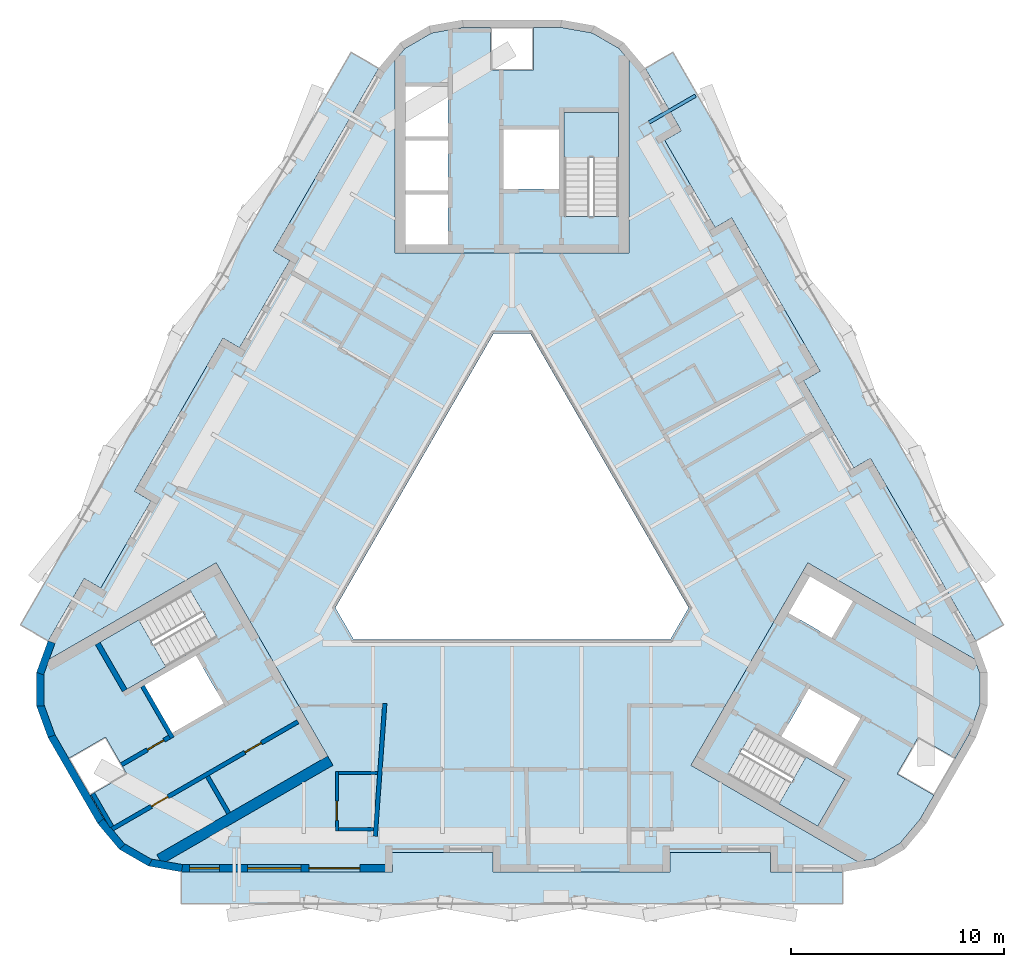
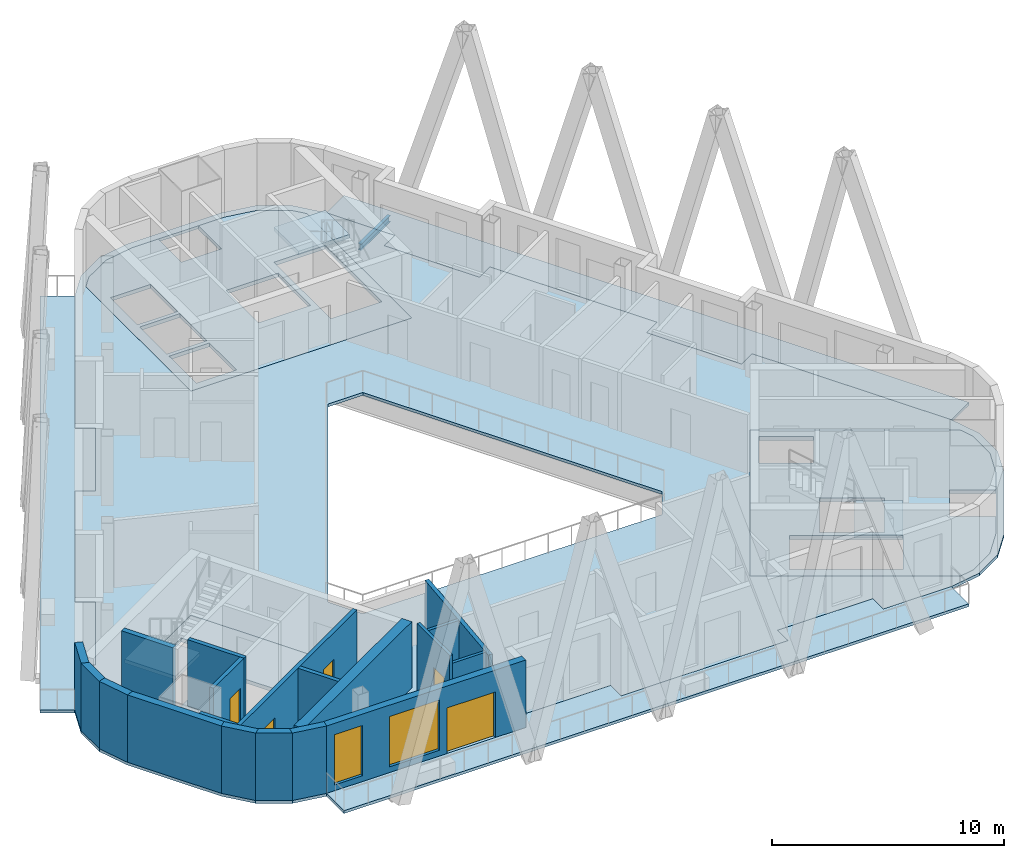
# One storey, part 2 of 11: 19 walls, 10 slabs, 5 doors, 2 windows, 1 beam, 7 openings, 3 elements without a shape of their own.
"""IFC4 building model written with IfcOpenShell, lengths in metres."""

import ifcopenshell
import ifcopenshell.guid

model = None  # the IFC model being written
_history = None  # IfcOwnerHistory: only IFC2X3 demands one
_inside = {}  # id of a spatial element -> (the spatial element, [elements in it])
_under = {}  # id of a project, library or spatial element -> (it, [spatial elements below it])
_declared = {}  # id of a project -> (the project, [libraries it declares])
_typed = {}  # id of a type object -> (the type object, [elements of that type])
_made_of = {}  # id of a material, layer set ... -> (it, [elements and type objects made of it])


def new_model(schema):
    """Start an empty IFC model of exactly this schema.

    Asked for "IFC4X3", IfcOpenShell would pick the latest addendum, in which some entities
    have other attributes; the version numbers below select the first issue.
    IFC2X3 requires an IfcOwnerHistory on every rooted entity: one is made here for all.
    """
    global model, _history
    if schema == "IFC4X3":
        model = ifcopenshell.file(schema_version=(4, 3, 0, 0))
    else:
        model = ifcopenshell.file(schema=schema)
    _inside.clear()
    _under.clear()
    _declared.clear()
    _typed.clear()
    _made_of.clear()
    _history = None
    if model.schema == "IFC2X3":
        org = make("IfcOrganization", Name="unknown")
        user = make(
            "IfcPersonAndOrganization",
            ThePerson=make("IfcPerson", FamilyName="unknown"),
            TheOrganization=org,
        )
        app = make(
            "IfcApplication",
            ApplicationDeveloper=org,
            Version="unknown",
            ApplicationFullName="unknown",
            ApplicationIdentifier="unknown",
        )
        _history = make(
            "IfcOwnerHistory",
            OwningUser=user,
            OwningApplication=app,
            ChangeAction="ADDED",
            CreationDate=0,
        )
    return model


def make(cls, **values):
    """One entity of the class cls with the attributes given. An attribute that is None is left unset."""
    return model.create_entity(
        cls, **{name: value for name, value in values.items() if value is not None}
    )


def rooted(cls, **values):
    """An entity with a GlobalId (a new one), such as an element, a storey or a relation."""
    return make(cls, GlobalId=ifcopenshell.guid.new(), OwnerHistory=_history, **values)


def si_unit(unit_type, name, prefix=None):
    """IfcSIUnit, for example si_unit("LENGTHUNIT", "METRE", prefix="MILLI")."""
    return make("IfcSIUnit", UnitType=unit_type, Prefix=prefix, Name=name)


def assignment(units):
    """IfcUnitAssignment: the units of a project."""
    return None if units is None else make("IfcUnitAssignment", Units=units)


def point(xyz):
    """IfcCartesianPoint."""
    return None if xyz is None else make("IfcCartesianPoint", Coordinates=xyz)


def direction(xyz):
    """IfcDirection."""
    return None if xyz is None else make("IfcDirection", DirectionRatios=xyz)


def frame(location, z_axis=None, x_axis=None):
    """IfcAxis2Placement3D, a coordinate frame: its origin and axes. An axis left out is left unset."""
    return make(
        "IfcAxis2Placement3D",
        Location=point(location),
        Axis=direction(z_axis),
        RefDirection=direction(x_axis),
    )


def frame_2d(location, x_axis=None):
    """IfcAxis2Placement2D, a coordinate frame in the plane: its origin and x axis."""
    return make(
        "IfcAxis2Placement2D", Location=point(location), RefDirection=direction(x_axis)
    )


def origin():
    """The frame at (0, 0, 0) with its axes left unset."""
    return frame((0.0, 0.0, 0.0))


def origin_2d():
    """The frame at (0, 0) in the plane with its x axis left unset."""
    return frame_2d((0.0, 0.0))


def place(relative_to, where):
    """IfcLocalPlacement: puts the frame where relative to a parent placement (None: the world)."""
    return make(
        "IfcLocalPlacement", PlacementRelTo=relative_to, RelativePlacement=where
    )


def context(
    kind, dimensions, precision=None, world=None, true_north=None, identifier=None
):
    """IfcGeometricRepresentationContext, for example the 3D "Model" context."""
    return make(
        "IfcGeometricRepresentationContext",
        ContextIdentifier=identifier,
        ContextType=kind,
        CoordinateSpaceDimension=dimensions,
        Precision=precision,
        WorldCoordinateSystem=world,
        TrueNorth=true_north,
    )


def subcontext(parent, identifier, kind, view, scale=None):
    """IfcGeometricRepresentationSubContext, for example "Body" below "Model"."""
    return make(
        "IfcGeometricRepresentationSubContext",
        ContextIdentifier=identifier,
        ContextType=kind,
        ParentContext=parent,
        TargetScale=scale,
        TargetView=view,
    )


def project(units=None, contexts=None):
    """IfcProject with its units and contexts."""
    return rooted(
        "IfcProject",
        Name="project",
        RepresentationContexts=contexts,
        UnitsInContext=assignment(units),
    )


def spatial(cls, under=None, at=None, **own):
    """A site, building, storey or space (cls), placed at a placement, below another one or the project."""
    s = rooted(cls, ObjectPlacement=at, **own)
    if under is not None:
        _under.setdefault(under.id(), (under, []))[1].append(s)
    return s


def polyline(points):
    """IfcPolyline through the points."""
    return make("IfcPolyline", Points=[point(p) for p in points])


def profile(cls, at=None, kind="AREA", **sizes):
    """A parametric profile (cls). Its sizes go by their IFC names, for example OverallWidth=200.0."""
    return make(cls, ProfileType=kind, Position=at, **sizes)


def rectangle(**sizes):
    """IfcRectangleProfileDef."""
    return profile("IfcRectangleProfileDef", **sizes)


def i_section(**sizes):
    """IfcIShapeProfileDef."""
    return profile("IfcIShapeProfileDef", **sizes)


def outline(outer, holes=None, kind="AREA"):
    """IfcArbitraryClosedProfileDef: a profile drawn as a closed curve; with holes, ...WithVoids."""
    if holes is None:
        return make("IfcArbitraryClosedProfileDef", ProfileType=kind, OuterCurve=outer)
    return make(
        "IfcArbitraryProfileDefWithVoids",
        ProfileType=kind,
        OuterCurve=outer,
        InnerCurves=holes,
    )


def extrude(swept, where, along, depth):
    """IfcExtrudedAreaSolid: the profile swept, set in the frame where, extruded along a direction by depth."""
    return make(
        "IfcExtrudedAreaSolid",
        SweptArea=swept,
        Position=where,
        ExtrudedDirection=direction(along),
        Depth=depth,
    )


def shape(context_of_items, identifier, shape_type, items):
    """IfcShapeRepresentation: the items that make up one representation, for example the "Body"."""
    return make(
        "IfcShapeRepresentation",
        ContextOfItems=context_of_items,
        RepresentationIdentifier=identifier,
        RepresentationType=shape_type,
        Items=items,
    )


def material(Name=None, Category=None):
    """IfcMaterial."""
    return make("IfcMaterial", Name=Name, Category=Category)


def layer(
    of_material, thickness, ventilated=None, Name=None, Category=None, Priority=None
):
    """IfcMaterialLayer: one layer of a wall or slab, of a material (None: an air gap)."""
    return make(
        "IfcMaterialLayer",
        Material=of_material,
        LayerThickness=thickness,
        IsVentilated=ventilated,
        Name=Name,
        Category=Category,
        Priority=Priority,
    )


def layer_set(layers, Name=None):
    """IfcMaterialLayerSet."""
    return make("IfcMaterialLayerSet", MaterialLayers=layers, LayerSetName=Name)


def material_profile(
    of_material, cross_section, Name=None, Category=None, Priority=None
):
    """IfcMaterialProfile: a cross section and its material."""
    return make(
        "IfcMaterialProfile",
        Name=Name,
        Material=of_material,
        Profile=cross_section,
        Priority=Priority,
        Category=Category,
    )


def profile_set(profiles, Name=None, composite=None):
    """IfcMaterialProfileSet."""
    return make(
        "IfcMaterialProfileSet",
        Name=Name,
        MaterialProfiles=profiles,
        CompositeProfile=composite,
    )


def made_of(thing, what):
    """Note that an element or type object is made of a material, layer set ...; save() writes the relation."""
    if what is not None:
        _made_of.setdefault(what.id(), (what, []))[1].append(thing)
    return thing


def type_object(cls, material=None, **own):
    """A type object (cls), such as IfcWallType, which elements share."""
    return made_of(rooted(cls, **own), material)


def element(
    cls,
    number,
    at=None,
    inside=None,
    cuts=None,
    type_object=None,
    material=None,
    context=None,
    identifier="Body",
    shape_type=None,
    held_by="IfcProductDefinitionShape",
    body=None,
    shapes=None,
    **own,
):
    """One element of the class cls, such as IfcWall. Its Tag is "e" and its number.

    at: its placement. inside: the storey or other place that contains it. cuts: it is an
    opening in that element (IfcRelVoidsElement). A single representation is given by context,
    identifier, shape_type and body (its items); several are given by shapes. held_by: the class
    of the entity that holds the representations. save() writes the other relations.
    """
    e = rooted(cls, Tag="e%d" % number, ObjectPlacement=at, **own)
    if body is not None:
        shapes = [shape(context, identifier, shape_type, body)]
    if shapes is not None:
        e.Representation = make(held_by, Representations=shapes)
    if inside is not None:
        _inside.setdefault(inside.id(), (inside, []))[1].append(e)
    if cuts is not None:
        rooted(
            "IfcRelVoidsElement", RelatingBuildingElement=cuts, RelatedOpeningElement=e
        )
    if type_object is not None:
        _typed.setdefault(type_object.id(), (type_object, []))[1].append(e)
    return made_of(e, material)


def fill(opening, filler):
    """IfcRelFillsElement: the door or window that sits in an opening."""
    return rooted(
        "IfcRelFillsElement",
        RelatingOpeningElement=opening,
        RelatedBuildingElement=filler,
    )


def aggregate(whole, parts):
    """IfcRelAggregates: a whole, such as a stair, and the parts it consists of."""
    return rooted("IfcRelAggregates", RelatingObject=whole, RelatedObjects=parts)


def save(model, path):
    """Write the relations noted so far, then the file.

    IfcRelAggregates (storeys below a building ...), IfcRelContainedInSpatialStructure (elements
    in a storey), IfcRelDefinesByType, IfcRelAssociatesMaterial and IfcRelDeclares: one each for
    every whole, place, type object, material and project.
    """
    for whole, parts in _under.values():
        aggregate(whole, parts)
    for where, things in _inside.values():
        rooted(
            "IfcRelContainedInSpatialStructure",
            RelatedElements=things,
            RelatingStructure=where,
        )
    for kind, things in _typed.values():
        rooted("IfcRelDefinesByType", RelatedObjects=things, RelatingType=kind)
    for what, things in _made_of.values():
        rooted("IfcRelAssociatesMaterial", RelatedObjects=things, RelatingMaterial=what)
    for by, libraries in _declared.values():
        rooted("IfcRelDeclares", RelatingContext=by, RelatedDefinitions=libraries)
    model.write(path)


model = new_model("IFC4")

# Units and contexts
model_context = context("Model", 3, precision=1e-05, world=origin(), true_north=direction((0.0, 1.0)))
body_context = subcontext(model_context, "Body", "Model", "MODEL_VIEW")
ifc_project = project(units=[si_unit("LENGTHUNIT", "METRE"), si_unit("AREAUNIT", "SQUARE_METRE"), si_unit("VOLUMEUNIT", "CUBIC_METRE"), si_unit("PLANEANGLEUNIT", "RADIAN"), si_unit("MASSUNIT", "GRAM", prefix="KILO")], contexts=[model_context])

# Site, building, storey
site_placement = place(None, origin())
site = spatial("IfcSite", under=ifc_project, at=site_placement, CompositionType="ELEMENT")
building_placement = place(site_placement, origin())
building = spatial("IfcBuilding", under=site, at=building_placement, Name="Apuvela Tower Hotel", CompositionType="ELEMENT")
storey_placement = place(building_placement, frame((0.0, 0.0, 313.300048828125)))
storey = spatial("IfcBuildingStorey", under=building, at=storey_placement, Name="L78", CompositionType="ELEMENT", Elevation=313.300048828125)

# Beam
ifc_material_1 = material(Name="Steel S355", Category="steel")
ifc_material_profile = material_profile(ifc_material_1, i_section(OverallWidth=0.159912109375, OverallDepth=0.330078125, WebThickness=0.007568359375, FlangeThickness=0.011474609375, at=origin_2d()), Name="IPE 330")
ifc_profile_set = profile_set([ifc_material_profile], Name="Steel S355")
beam_type = type_object("IfcBeamType", Name="ENV-BALCONY-BEAM-IPE330", PredefinedType="BEAM", material=ifc_profile_set)
beam_placement = place(storey_placement, frame((6.448486328125, 19.035888671875, -0.31494140625), z_axis=(0.866039067339, 0.499976333282, 0.0), x_axis=(-0.499976333282, 0.866039067339, 0.0)))
element("IfcBeam", 1, at=beam_placement, inside=storey, type_object=beam_type, Name="Balcony cantilever beam NE3 L78", PredefinedType="BEAM", context=body_context, shape_type="SweptSolid", body=[
    extrude(i_section(OverallWidth=0.159912109375, OverallDepth=0.330078125, WebThickness=0.007568359375, FlangeThickness=0.011474609375, at=origin_2d()), origin(), (0.0, 0.0, 1.0), 2.52490234375),
])

# Slabs
ifc_material_2 = material(Name="Concrete C50/60", Category="concrete")
ifc_layer_1 = layer(ifc_material_2, 0.199951171875)
ifc_layer_set_1 = layer_set([ifc_layer_1], Name="COR-FLOOR-200")
slab_type_1 = type_object("IfcSlabType", Name="COR-FLOOR-200", PredefinedType="FLOOR", material=ifc_layer_set_1)
slab_1_placement = place(storey_placement, frame((0.0, 0.0, -0.199951171875)))
element("IfcSlab", 2, at=slab_1_placement, inside=storey, type_object=slab_type_1, Name="Core floor N", PredefinedType="FLOOR", context=body_context, shape_type="SweptSolid", body=[
    extrude(outline(polyline([(5.5, 21.96484375), (5.03271484375, 22.521484375), (3.772216796875, 23.24951171875), (2.30810546875, 23.507568359375), (1.0, 23.507568359375), (1.0, 21.507568359375), (-1.0, 21.507568359375), (-1.0, 23.507568359375), (-2.30810546875, 23.507568359375), (-3.772216796875, 23.24951171875), (-5.03271484375, 22.521484375), (-5.5, 21.96484375), (-5.5, 12.89990234375), (5.5, 12.89990234375), (5.5, 21.96484375)]), holes=[polyline([(-3.0, 13.300048828125), (-5.0, 13.300048828125), (-5.0, 15.639892578125), (-3.0, 15.639892578125), (-3.0, 13.300048828125)]), polyline([(-3.0, 15.840087890625), (-5.0, 15.840087890625), (-5.0, 18.179931640625), (-3.0, 18.179931640625), (-3.0, 15.840087890625)]), polyline([(5.0, 14.60595703125), (2.449951171875, 14.60595703125), (2.449951171875, 19.5), (5.0, 19.5), (5.0, 14.60595703125)]), polyline([(2.199951171875, 18.699951171875), (2.199951171875, 15.89990234375), (-0.39990234375, 15.89990234375), (-0.39990234375, 18.699951171875), (2.199951171875, 18.699951171875)]), polyline([(-3.0, 20.719970703125), (-3.0, 18.3798828125), (-5.0, 18.3798828125), (-5.0, 20.719970703125), (-3.0, 20.719970703125)])]), origin(), (0.0, 0.0, 1.0), 0.199951171875),
])
slab_2_placement = place(storey_placement, frame((0.0, 0.0, -0.199951171875)))
element("IfcSlab", 3, at=slab_2_placement, inside=storey, type_object=slab_type_1, Name="Core floor SW", PredefinedType="FLOOR", context=body_context, shape_type="SweptSolid", body=[
    extrude(outline(polyline([(-21.772216796875, -6.21923828125), (-22.020751953125, -6.90234375), (-22.020751953125, -8.35791015625), (-21.51220703125, -9.7548828125), (-20.858154296875, -10.8876953125), (-19.126220703125, -9.8876953125), (-18.126220703125, -11.619873046875), (-19.858154296875, -12.619873046875), (-19.2041015625, -13.752685546875), (-18.24853515625, -14.8916015625), (-16.98779296875, -15.619384765625), (-16.272216796875, -15.74560546875), (-8.421630859375, -11.213134765625), (-13.921630859375, -1.68701171875), (-21.772216796875, -6.21923828125)]), holes=[polyline([(-13.874267578125, -5.18115234375), (-18.112548828125, -7.628173828125), (-19.387451171875, -5.419921875), (-15.149169921875, -2.972900390625), (-13.874267578125, -5.18115234375)]), polyline([(-13.56982421875, -8.29638671875), (-15.99462890625, -9.6962890625), (-17.294677734375, -7.444580078125), (-14.869873046875, -6.044677734375), (-13.56982421875, -8.29638671875)])]), origin(), (0.0, 0.0, 1.0), 0.199951171875),
])
slab_3_placement = place(storey_placement, frame((0.0, 0.0, -0.199951171875)))
element("IfcSlab", 4, at=slab_3_placement, inside=storey, type_object=slab_type_1, Name="Core floor SE", PredefinedType="FLOOR", context=body_context, shape_type="SweptSolid", body=[
    extrude(outline(polyline([(16.272216796875, -15.74560546875), (16.98779296875, -15.619384765625), (18.24853515625, -14.8916015625), (19.2041015625, -13.752685546875), (19.858154296875, -12.619873046875), (18.126220703125, -11.619873046875), (19.126220703125, -9.8876953125), (20.858154296875, -10.8876953125), (21.51220703125, -9.7548828125), (22.020751953125, -8.35791015625), (22.020751953125, -6.90234375), (21.772216796875, -6.21923828125), (13.921630859375, -1.68701171875), (8.421630859375, -11.213134765625), (16.272216796875, -15.74560546875)]), holes=[polyline([(14.01806640625, -2.31982421875), (16.044677734375, -3.489990234375), (15.044677734375, -5.221923828125), (13.01806640625, -4.052001953125), (14.01806640625, -2.31982421875)]), polyline([(10.149169921875, -11.633056640625), (11.42431640625, -9.4248046875), (15.66259765625, -11.871826171875), (14.387451171875, -14.080078125), (10.149169921875, -11.633056640625)]), polyline([(12.669921875, -9.855224609375), (13.9697265625, -7.603515625), (16.394775390625, -9.003662109375), (15.0947265625, -11.25537109375), (12.669921875, -9.855224609375)])]), origin(), (0.0, 0.0, 1.0), 0.199951171875),
])

# Stair, slab
stair_type = type_object("IfcStairType", Name="COR-STAIR-22R", PredefinedType="HALF_TURN_STAIR", material=ifc_material_2)
stair_1_placement = place(storey_placement, origin())
stair_1 = element("IfcStair", 5, at=stair_1_placement, inside=storey, type_object=stair_type, Name="L78 Exit stair ST1", PredefinedType="HALF_TURN_STAIR")
ifc_layer_2 = layer(ifc_material_2, 0.199951171875)
ifc_layer_set_2 = layer_set([ifc_layer_2], Name="COR-LANDING-200")
slab_type_2 = type_object("IfcSlabType", Name="COR-LANDING-200", PredefinedType="LANDING", material=ifc_layer_set_2)
slab_4_placement = place(storey_placement, frame((0.0, 0.0, 1.64990234375)))
slab_4 = element("IfcSlab", 6, at=slab_4_placement, type_object=slab_type_2, Name="ST1 landing 1", PredefinedType="LANDING", context=body_context, shape_type="SweptSolid", body=[
    extrude(outline(polyline([(5.0, 17.39404296875), (5.0, 19.5), (2.449951171875, 19.5), (2.449951171875, 17.39404296875), (5.0, 17.39404296875)])), origin(), (0.0, 0.0, 1.0), 0.199951171875),
])
aggregate(stair_1, [slab_4])

stair_2_placement = place(storey_placement, origin())
stair_2 = element("IfcStair", 7, at=stair_2_placement, inside=storey, type_object=stair_type, Name="L78 Exit stair ST2", PredefinedType="HALF_TURN_STAIR")
slab_5_placement = place(storey_placement, frame((0.0, 0.0, 1.64990234375)))
slab_5 = element("IfcSlab", 8, at=slab_5_placement, type_object=slab_type_2, Name="ST2 landing 1", PredefinedType="LANDING", context=body_context, shape_type="SweptSolid", body=[
    extrude(outline(polyline([(-17.563720703125, -4.366943359375), (-19.387451171875, -5.419921875), (-18.112548828125, -7.628173828125), (-16.28857421875, -6.5751953125), (-17.563720703125, -4.366943359375)])), origin(), (0.0, 0.0, 1.0), 0.199951171875),
])
aggregate(stair_2, [slab_5])

stair_3_placement = place(storey_placement, origin())
stair_3 = element("IfcStair", 9, at=stair_3_placement, inside=storey, type_object=stair_type, Name="L78 Exit stair ST3", PredefinedType="HALF_TURN_STAIR")
slab_6_placement = place(storey_placement, frame((0.0, 0.0, 1.64990234375)))
slab_6 = element("IfcSlab", 10, at=slab_6_placement, type_object=slab_type_2, Name="ST3 landing 1", PredefinedType="LANDING", context=body_context, shape_type="SweptSolid", body=[
    extrude(outline(polyline([(12.563720703125, -13.027099609375), (14.387451171875, -14.080078125), (15.66259765625, -11.871826171875), (13.838623046875, -10.81884765625), (12.563720703125, -13.027099609375)])), origin(), (0.0, 0.0, 1.0), 0.199951171875),
])
aggregate(stair_3, [slab_6])

# Slabs
ifc_material_3 = material(Name="Concrete C40/50, fair-faced", Category="concrete")
ifc_layer_3 = layer(ifc_material_3, 0.14990234375)
ifc_layer_set_3 = layer_set([ifc_layer_3], Name="ENV-BALCONY-150")
slab_type_3 = type_object("IfcSlabType", Name="ENV-BALCONY-150", PredefinedType="FLOOR", material=ifc_layer_set_3)
slab_7_placement = place(storey_placement, frame((0.0, 0.0, -0.150146484375)))
element("IfcSlab", 11, at=slab_7_placement, inside=storey, type_object=slab_type_3, Name="Balcony slab S L78", PredefinedType="FLOOR", context=body_context, shape_type="SweptSolid", body=[
    extrude(outline(polyline([(15.5595703125, -17.732421875), (-15.559326171875, -17.732421875), (-15.559326171875, -16.222412109375), (-5.635498046875, -16.222412109375), (-5.635498046875, -15.322509765625), (-0.89501953125, -15.322509765625), (-0.89501953125, -16.222412109375), (7.42578125, -16.222412109375), (7.42578125, -15.322509765625), (12.16650390625, -15.322509765625), (12.16650390625, -16.222412109375), (15.5595703125, -16.222412109375), (15.5595703125, -17.732421875)])), origin(), (0.0, 0.0, 1.0), 0.150146484375),
])
slab_8_placement = place(storey_placement, frame((0.0, 0.0, -0.150146484375)))
element("IfcSlab", 12, at=slab_8_placement, inside=storey, type_object=slab_type_3, Name="Balcony slab NE L78", PredefinedType="FLOOR", context=body_context, shape_type="SweptSolid", body=[
    extrude(outline(polyline([(14.49658203125, 7.336181640625), (10.336181640625, 14.5419921875), (9.556884765625, 14.092041015625), (7.1865234375, 18.197509765625), (7.9658203125, 18.647705078125), (6.269287109375, 21.586181640625), (7.576904296875, 22.341064453125), (23.136474609375, -4.608642578125), (21.828857421875, -5.363525390625), (16.866943359375, 3.230712890625), (16.08740234375, 2.780517578125), (13.71728515625, 6.885986328125), (14.49658203125, 7.336181640625)])), origin(), (0.0, 0.0, 1.0), 0.150146484375),
])
slab_9_placement = place(storey_placement, frame((0.0, 0.0, -0.150146484375)))
element("IfcSlab", 13, at=slab_9_placement, inside=storey, type_object=slab_type_3, Name="Balcony slab NW L78", PredefinedType="FLOOR", context=body_context, shape_type="SweptSolid", body=[
    extrude(outline(polyline([(-23.136474609375, -4.608642578125), (-7.5771484375, 22.341064453125), (-6.269287109375, 21.586181640625), (-11.231201171875, 12.99169921875), (-10.451904296875, 12.541748046875), (-12.822021484375, 8.436279296875), (-13.6015625, 8.886474609375), (-17.761962890625, 1.680419921875), (-16.982421875, 1.23046875), (-19.352783203125, -2.875244140625), (-20.13232421875, -2.42529296875), (-21.828857421875, -5.36376953125), (-23.136474609375, -4.608642578125)])), origin(), (0.0, 0.0, 1.0), 0.150146484375),
])
ifc_material_4 = material(Name="Concrete C35/45", Category="concrete")
ifc_layer_4 = layer(ifc_material_4, 0.14990234375)
ifc_layer_set_4 = layer_set([ifc_layer_4], Name="STR-SLAB 150 floor Concrete C35/45")
slab_type_4 = type_object("IfcSlabType", Name="STR-SLAB 150 floor Concrete C35/45", PredefinedType="FLOOR", material=ifc_layer_set_4)
slab_10_placement = place(storey_placement, frame((0.0, 0.0, -0.150146484375)))
element("IfcSlab", 14, at=slab_10_placement, inside=storey, type_object=slab_type_4, Name="Floor slab S4 L78", PredefinedType="FLOOR", context=body_context, shape_type="SweptSolid", body=[
    extrude(outline(polyline([(-5.26123046875, 22.7939453125), (-3.893798828125, 23.58349609375), (-2.338623046875, 23.857666015625), (2.338623046875, 23.857666015625), (3.893798828125, 23.58349609375), (5.26123046875, 22.7939453125), (6.276123046875, 21.584228515625), (7.97265625, 18.645751953125), (7.193359375, 18.19580078125), (9.55859375, 14.098876953125), (10.338134765625, 14.548828125), (14.50341796875, 7.334228515625), (13.72412109375, 6.88427734375), (16.08935546875, 2.78759765625), (16.86865234375, 3.237548828125), (21.83056640625, -5.356689453125), (22.37060546875, -6.840576171875), (22.37060546875, -8.419677734375), (21.83056640625, -9.903564453125), (19.491943359375, -13.9541015625), (18.47705078125, -15.163818359375), (17.109619140625, -15.953369140625), (15.554443359375, -16.2275390625), (12.161376953125, -16.2275390625), (12.161376953125, -15.327392578125), (7.4306640625, -15.327392578125), (7.4306640625, -16.2275390625), (-0.89990234375, -16.2275390625), (-0.89990234375, -15.327392578125), (-5.630615234375, -15.327392578125), (-5.630615234375, -16.2275390625), (-15.554443359375, -16.2275390625), (-17.109619140625, -15.953369140625), (-18.47705078125, -15.163818359375), (-19.491943359375, -13.9541015625), (-21.83056640625, -9.903564453125), (-22.37060546875, -8.419677734375), (-22.37060546875, -6.840576171875), (-21.83056640625, -5.356689453125), (-20.134033203125, -2.418212890625), (-19.354736328125, -2.868408203125), (-16.9892578125, 1.228515625), (-17.768798828125, 1.6787109375), (-13.603515625, 8.893310546875), (-12.823974609375, 8.443115234375), (-10.458740234375, 12.5400390625), (-11.238037109375, 12.989990234375), (-6.276123046875, 21.584228515625), (-5.26123046875, 22.7939453125)]), holes=[polyline([(0.865966796875, 9.10009765625), (-0.865966796875, 9.10009765625), (-8.313720703125, -3.800048828125), (-7.44775390625, -5.300048828125), (7.44775390625, -5.300048828125), (8.313720703125, -3.800048828125), (0.865966796875, 9.10009765625)]), polyline([(-5.5, 12.89990234375), (-5.5, 21.96484375), (-5.03271484375, 22.521484375), (-3.772216796875, 23.24951171875), (-2.30810546875, 23.507568359375), (2.30810546875, 23.507568359375), (3.772216796875, 23.24951171875), (5.03271484375, 22.521484375), (5.5, 21.96484375), (5.5, 12.89990234375), (-5.5, 12.89990234375)]), polyline([(-8.421630859375, -11.213134765625), (-16.272216796875, -15.74560546875), (-16.98779296875, -15.619384765625), (-18.24853515625, -14.8916015625), (-19.2041015625, -13.752685546875), (-21.51220703125, -9.7548828125), (-22.020751953125, -8.35791015625), (-22.020751953125, -6.90234375), (-21.772216796875, -6.21923828125), (-13.921630859375, -1.68701171875), (-8.421630859375, -11.213134765625)]), polyline([(13.921630859375, -1.68701171875), (21.772216796875, -6.21923828125), (22.020751953125, -6.90234375), (22.020751953125, -8.35791015625), (21.51220703125, -9.7548828125), (19.2041015625, -13.752685546875), (18.24853515625, -14.8916015625), (16.98779296875, -15.619384765625), (16.272216796875, -15.74560546875), (8.421630859375, -11.213134765625), (13.921630859375, -1.68701171875)])]), origin(), (0.0, 0.0, 1.0), 0.150146484375),
])

# Walls
ifc_layer_5 = layer(ifc_material_2, 0.5)
ifc_layer_set_5 = layer_set([ifc_layer_5], Name="COR-WALL-CORE-500")
wall_type_1 = type_object("IfcWallType", Name="COR-WALL-CORE-500", PredefinedType="SHEAR", material=ifc_layer_set_5)
wall_1_placement = place(storey_placement, frame((-8.546630859375, -10.99658203125, 0.0), z_axis=(0.0, 0.0, 1.0), x_axis=(-0.866025286072, -0.500000203884, 0.0)))
element("IfcWall", 15, at=wall_1_placement, inside=storey, type_object=wall_type_1, Name="Core wall SW", PredefinedType="SHEAR", context=body_context, shape_type="SweptSolid", body=[
    extrude(rectangle(XDim=9.28271484375, YDim=0.5, at=frame_2d((4.641357421875, 0.0))), origin(), (0.0, 0.0, 1.0), 3.5),
])
ifc_layer_6 = layer(ifc_material_2, 0.199951171875)
ifc_layer_set_6 = layer_set([ifc_layer_6], Name="COR-WALL-SHAFT-200")
wall_type_2 = type_object("IfcWallType", Name="COR-WALL-SHAFT-200", PredefinedType="SHEAR", material=ifc_layer_set_6)
wall_2_placement = place(storey_placement, frame((-17.38134765625, -7.49462890625, 0.0), z_axis=(0.0, 0.0, 1.0), x_axis=(0.500011755427, -0.866018616679, 0.0)))
element("IfcWall", 16, at=wall_2_placement, inside=storey, type_object=wall_type_2, Name="Shaft wall SW", PredefinedType="SHEAR", context=body_context, shape_type="SweptSolid", body=[
    extrude(rectangle(XDim=2.80029296875, YDim=0.199951171875, at=frame_2d((1.400146484375, 0.0))), origin(), (0.0, 0.0, 1.0), 3.5),
])

# Wall, openings, doors
wall_3_placement = place(storey_placement, frame((-10.068115234375, -9.16162109375, 0.0), z_axis=(0.0, 0.0, 1.0), x_axis=(-0.866030125237, -0.499991822116, 0.0)))
wall_3 = element("IfcWall", 17, at=wall_3_placement, inside=storey, type_object=wall_type_2, Name="Shaft wall SW", PredefinedType="SHEAR", context=body_context, shape_type="SweptSolid", body=[
    extrude(rectangle(XDim=10.120849609375, YDim=0.199951171875, at=frame_2d((5.060546875, 0.0))), origin(), (0.0, 0.0, 1.0), 3.5),
])
opening_1_placement = place(wall_3_placement, frame((1.989990234375, 0.0, 0.0)))
opening_1 = element("IfcOpeningElement", 18, at=opening_1_placement, cuts=wall_3, Name="Opening W-RE1", PredefinedType="OPENING", context=body_context, shape_type="SweptSolid", body=[
    extrude(rectangle(XDim=0.89990234375, YDim=2.10009765625, at=frame_2d((0.449951171875, 1.050048828125))), frame((0.0, 0.10986328125, 0.0), z_axis=(0.0, -1.0, 0.0), x_axis=(1.0, 0.0, 0.0)), (0.0, 0.0, 1.0), 0.219970703125),
])
opening_2_placement = place(wall_3_placement, frame((7.070068359375, 0.0, 0.0)))
opening_2 = element("IfcOpeningElement", 19, at=opening_2_placement, cuts=wall_3, Name="Opening W-RE3", PredefinedType="OPENING", context=body_context, shape_type="SweptSolid", body=[
    extrude(rectangle(XDim=0.89990234375, YDim=2.10009765625, at=frame_2d((0.449951171875, 1.050048828125))), frame((0.0, 0.10986328125, 0.0), z_axis=(0.0, -1.0, 0.0), x_axis=(1.0, 0.0, 0.0)), (0.0, 0.0, 1.0), 0.219970703125),
])
ifc_material_5 = material(Name="Steel fire door, powder coated", Category="steel")
door_type_1 = type_object("IfcDoorType", Name="COR-DR-900", OperationType="NOTDEFINED", PredefinedType="DOOR", material=ifc_material_5)
door_1_placement = place(opening_1_placement, origin())
door_1 = element("IfcDoor", 20, at=door_1_placement, inside=storey, type_object=door_type_1, Name="Store door W-RE1", OperationType="SINGLE_SWING_LEFT", OverallHeight=2.10009765625, OverallWidth=0.89990234375, PredefinedType="DOOR", context=body_context, shape_type="SweptSolid", body=[
    extrude(rectangle(XDim=0.89990234375, YDim=2.10009765625, at=frame_2d((0.449951171875, 1.050048828125))), frame((0.0, 0.02490234375, 0.0), z_axis=(0.0, -1.0, 0.0), x_axis=(1.0, 0.0, 0.0)), (0.0, 0.0, 1.0), 0.050048828125),
])
fill(opening_1, door_1)
door_2_placement = place(opening_2_placement, origin())
door_2 = element("IfcDoor", 21, at=door_2_placement, inside=storey, type_object=door_type_1, Name="Store door W-RE3", OperationType="SINGLE_SWING_LEFT", OverallHeight=2.10009765625, OverallWidth=0.89990234375, PredefinedType="DOOR", context=body_context, shape_type="SweptSolid", body=[
    extrude(rectangle(XDim=0.89990234375, YDim=2.10009765625, at=frame_2d((0.449951171875, 1.050048828125))), frame((0.0, 0.02490234375, 0.0), z_axis=(0.0, -1.0, 0.0), x_axis=(1.0, 0.0, 0.0)), (0.0, 0.0, 1.0), 0.050048828125),
])
fill(opening_2, door_2)

# Wall
wall_4_placement = place(storey_placement, frame((-19.73046875, -12.5458984375, 0.0), z_axis=(0.0, 0.0, 1.0), x_axis=(0.500004188491, -0.866022985545, 0.0)))
element("IfcWall", 22, at=wall_4_placement, inside=storey, type_object=wall_type_2, Name="Shaft wall SW", PredefinedType="SHEAR", context=body_context, shape_type="SweptSolid", body=[
    extrude(rectangle(XDim=1.80029296875, YDim=0.199951171875, at=frame_2d((0.900146484375, 0.0))), origin(), (0.0, 0.0, 1.0), 3.5),
])

# Wall, opening, door
wall_5_placement = place(storey_placement, frame((-16.117919921875, -9.883056640625, 0.0), z_axis=(0.0, 0.0, 1.0), x_axis=(-0.866045268016, -0.499965592563, 0.0)))
wall_5 = element("IfcWall", 23, at=wall_5_placement, inside=storey, type_object=wall_type_2, Name="Shaft wall SW", PredefinedType="SHEAR", context=body_context, shape_type="SweptSolid", body=[
    extrude(rectangle(XDim=2.607666015625, YDim=0.199951171875, at=frame_2d((1.3037109375, 0.0))), origin(), (0.0, 0.0, 1.0), 3.5),
])
opening_3_placement = place(wall_5_placement, frame((0.300048828125, 0.0, 0.0)))
opening_3 = element("IfcOpeningElement", 24, at=opening_3_placement, cuts=wall_5, Name="Opening W-RDU", PredefinedType="OPENING", context=body_context, shape_type="SweptSolid", body=[
    extrude(rectangle(XDim=0.89990234375, YDim=2.10009765625, at=frame_2d((0.449951171875, 1.050048828125))), frame((0.0, 0.10986328125, 0.0), z_axis=(0.0, -1.0, 0.0), x_axis=(1.0, 0.0, 0.0)), (0.0, 0.0, 1.0), 0.219970703125),
])
door_3_placement = place(opening_3_placement, frame((0.89990234375, 0.0, 0.0), z_axis=(0.0, 0.0, 1.0), x_axis=(-1.0, 0.0, 0.0)))
door_3 = element("IfcDoor", 25, at=door_3_placement, inside=storey, type_object=door_type_1, Name="Store door W-RDU", OperationType="SINGLE_SWING_LEFT", OverallHeight=2.10009765625, OverallWidth=0.89990234375, PredefinedType="DOOR", context=body_context, shape_type="SweptSolid", body=[
    extrude(rectangle(XDim=0.89990234375, YDim=2.10009765625, at=frame_2d((0.449951171875, 1.050048828125))), frame((0.0, 0.02490234375, 0.0), z_axis=(0.0, -1.0, 0.0), x_axis=(1.0, 0.0, 0.0)), (0.0, 0.0, 1.0), 0.050048828125),
])
fill(opening_3, door_3)

# Walls
wall_6_placement = place(storey_placement, frame((-14.330810546875, -11.738037109375, 0.0), z_axis=(0.0, 0.0, 1.0), x_axis=(0.499972520799, -0.866041268327, 0.0)))
element("IfcWall", 26, at=wall_6_placement, inside=storey, type_object=wall_type_2, Name="Shaft wall SW", PredefinedType="SHEAR", context=body_context, shape_type="SweptSolid", body=[
    extrude(rectangle(XDim=2.0, YDim=0.199951171875, at=frame_2d((1.0, 0.0))), origin(), (0.0, 0.0, 1.0), 3.5),
])
ifc_layer_7 = layer(ifc_material_2, 0.25)
ifc_layer_set_7 = layer_set([ifc_layer_7], Name="COR-WALL-STAIR-250")
wall_type_3 = type_object("IfcWallType", Name="COR-WALL-STAIR-250", PredefinedType="SHEAR", material=ifc_layer_set_7)
wall_7_placement = place(storey_placement, frame((-19.49560546875, -5.482421875, 0.0), z_axis=(0.0, 0.0, 1.0), x_axis=(0.499990435942, -0.866030925526, 0.0)))
element("IfcWall", 27, at=wall_7_placement, inside=storey, type_object=wall_type_3, Name="Stair wall SW", PredefinedType="SHEAR", context=body_context, shape_type="SweptSolid", body=[
    extrude(rectangle(XDim=2.5498046875, YDim=0.25, at=frame_2d((1.27490234375, 0.0))), origin(), (0.0, 0.0, 1.0), 3.5),
])
ifc_material_6 = material(Name="Concrete C40/50, dark pigmented precast panel", Category="concrete")
ifc_layer_8 = layer(ifc_material_6, 0.35009765625)
ifc_layer_set_8 = layer_set([ifc_layer_8], Name="ENV-WALL-350")
wall_type_4 = type_object("IfcWallType", Name="ENV-WALL-350", PredefinedType="SOLIDWALL", material=ifc_layer_set_8)
for number, where, z_axis, x_axis, name in (
    (28, (-21.666259765625, -5.41650390625, 0.0), (0.0, 0.0, 1.0), (-0.341991325642, -0.939703109065, 0.0), "External wall L78-10"),
    (29, (-22.19580078125, -6.840576171875, 0.0), (0.0, 0.0, 1.0), (0.0, -1.0, 0.0), "External wall L78-11"),
    (30, (-22.206298828125, -8.35986328125, 0.0), (0.0, 0.0, 1.0), (0.341991325642, -0.939703109065, 0.0), "External wall L78-12"),
):
    element("IfcWall", number, at=place(storey_placement, frame(where, z_axis=z_axis, x_axis=x_axis)), inside=storey, type_object=wall_type_4, Name=name, PredefinedType="SOLIDWALL", context=body_context, shape_type="SweptSolid", body=[
        extrude(rectangle(XDim=1.5791015625, YDim=0.35009765625, at=frame_2d((0.78955078125, 0.0))), origin(), (0.0, 0.0, 1.0), 3.550048828125),
    ])
wall_8_placement = place(storey_placement, frame((-21.67919921875, -9.81591796875, 0.0), z_axis=(0.0, 0.0, 1.0), x_axis=(0.500023656998, -0.86601174498, 0.0)))
element("IfcWall", 31, at=wall_8_placement, inside=storey, type_object=wall_type_4, Name="External wall L78-13", PredefinedType="SOLIDWALL", context=body_context, shape_type="SweptSolid", body=[
    extrude(rectangle(XDim=4.677490234375, YDim=0.35009765625, at=frame_2d((2.3388671875, 0.0))), origin(), (0.0, 0.0, 1.0), 3.550048828125),
])
for number, where, z_axis, x_axis, name in (
    (32, (-19.35791015625, -13.841552734375, 0.0), (0.0, 0.0, 1.0), (0.642720587594, -0.766100676336, 0.0), "External wall L78-14"),
    (33, (-18.389404296875, -15.01220703125, 0.0), (0.0, 0.0, 1.0), (0.866007919525, -0.500030282404, 0.0), "External wall L78-15"),
    (34, (-17.0791015625, -15.781005859375, 0.0), (0.0, 0.0, 1.0), (0.984813116036, -0.173617759703, 0.0), "External wall L78-16"),
):
    element("IfcWall", number, at=place(storey_placement, frame(where, z_axis=z_axis, x_axis=x_axis)), inside=storey, type_object=wall_type_4, Name=name, PredefinedType="SOLIDWALL", context=body_context, shape_type="SweptSolid", body=[
        extrude(rectangle(XDim=1.5791015625, YDim=0.35009765625, at=frame_2d((0.78955078125, 0.0))), origin(), (0.0, 0.0, 1.0), 3.550048828125),
    ])

# Wall, openings, door, windows
wall_9_placement = place(storey_placement, frame((-15.554443359375, -16.052490234375, 0.0), z_axis=(0.0, 0.0, 1.0), x_axis=(1.0, 0.0, 0.0)))
wall_9 = element("IfcWall", 35, at=wall_9_placement, inside=storey, type_object=wall_type_4, Name="External wall L78-17", PredefinedType="SOLIDWALL", context=body_context, shape_type="SweptSolid", body=[
    extrude(rectangle(XDim=9.923828125, YDim=0.35009765625, at=frame_2d((4.9619140625, 0.0))), origin(), (0.0, 0.0, 1.0), 3.550048828125),
])
opening_4_placement = place(wall_9_placement, frame((0.381103515625, 0.0, 0.300048828125)))
opening_4 = element("IfcOpeningElement", 36, at=opening_4_placement, cuts=wall_9, Name="Opening WN14", PredefinedType="OPENING", context=body_context, shape_type="SweptSolid", body=[
    extrude(rectangle(XDim=1.39990234375, YDim=2.64990234375, at=frame_2d((0.699951171875, 1.324951171875))), frame((0.0, 0.18505859375, 0.0), z_axis=(0.0, -1.0, 0.0), x_axis=(1.0, 0.0, 0.0)), (0.0, 0.0, 1.0), 0.3701171875),
])
opening_5_placement = place(wall_9_placement, frame((5.998779296875, 0.0, 0.0)))
opening_5 = element("IfcOpeningElement", 37, at=opening_5_placement, cuts=wall_9, Name="Opening BD24", PredefinedType="OPENING", context=body_context, shape_type="SweptSolid", body=[
    extrude(rectangle(XDim=2.39990234375, YDim=2.39990234375, at=frame_2d((1.199951171875, 1.199951171875))), frame((0.0, 0.18505859375, 0.0), z_axis=(0.0, -1.0, 0.0), x_axis=(1.0, 0.0, 0.0)), (0.0, 0.0, 1.0), 0.3701171875),
])
opening_6_placement = place(wall_9_placement, frame((3.118408203125, 0.0, 0.300048828125)))
opening_6 = element("IfcOpeningElement", 38, at=opening_6_placement, cuts=wall_9, Name="Opening WN25", PredefinedType="OPENING", context=body_context, shape_type="SweptSolid", body=[
    extrude(rectangle(XDim=2.5, YDim=2.64990234375, at=frame_2d((1.25, 1.324951171875))), frame((0.0, 0.18505859375, 0.0), z_axis=(0.0, -1.0, 0.0), x_axis=(1.0, 0.0, 0.0)), (0.0, 0.0, 1.0), 0.3701171875),
])
ifc_material_7 = material(Name="Aluminium 6063-T6, dark bronze anodised frame with dark tinted laminated glass", Category="aluminium")
door_type_2 = type_object("IfcDoorType", Name="ENV-DOOR-BALCONY-2400x2400", OperationType="SLIDING_TO_LEFT", PredefinedType="DOOR", material=ifc_material_7)
door_4_placement = place(opening_5_placement, frame((2.39990234375, 0.0, 0.0), z_axis=(0.0, 0.0, 1.0), x_axis=(-1.0, 0.0, 0.0)))
door_4 = element("IfcDoor", 39, at=door_4_placement, inside=storey, type_object=door_type_2, Name="Balcony door BD24", OperationType="SLIDING_TO_LEFT", OverallHeight=2.39990234375, OverallWidth=2.39990234375, PredefinedType="DOOR", context=body_context, shape_type="SweptSolid", body=[
    extrude(rectangle(XDim=2.39990234375, YDim=2.39990234375, at=frame_2d((1.199951171875, 1.199951171875))), frame((0.0, 0.02490234375, 0.0), z_axis=(0.0, -1.0, 0.0), x_axis=(1.0, 0.0, 0.0)), (0.0, 0.0, 1.0), 0.050048828125),
])
fill(opening_5, door_4)
ifc_material_8 = material(Name="Glass, dark tinted laminated insulated glazing unit", Category="glass")
window_type_1 = type_object("IfcWindowType", Name="ENV-WIN-1400x2650", PartitioningType="SINGLE_PANEL", PredefinedType="WINDOW", material=ifc_material_8)
window_1_placement = place(opening_4_placement, origin())
window_1 = element("IfcWindow", 40, at=window_1_placement, inside=storey, type_object=window_type_1, Name="Window WN14", OverallHeight=2.64990234375, OverallWidth=1.39990234375, PartitioningType="SINGLE_PANEL", PredefinedType="WINDOW", context=body_context, shape_type="SweptSolid", body=[
    extrude(rectangle(XDim=1.39990234375, YDim=2.64990234375, at=frame_2d((0.699951171875, 1.324951171875))), frame((0.0, 0.030029296875, 0.0), z_axis=(0.0, -1.0, 0.0), x_axis=(1.0, 0.0, 0.0)), (0.0, 0.0, 1.0), 0.06005859375),
])
fill(opening_4, window_1)
window_type_2 = type_object("IfcWindowType", Name="ENV-WIN-2500x2650", PartitioningType="SINGLE_PANEL", PredefinedType="WINDOW", material=ifc_material_8)
window_2_placement = place(opening_6_placement, origin())
window_2 = element("IfcWindow", 41, at=window_2_placement, inside=storey, type_object=window_type_2, Name="Window WN25", OverallHeight=2.64990234375, OverallWidth=2.5, PartitioningType="SINGLE_PANEL", PredefinedType="WINDOW", context=body_context, shape_type="SweptSolid", body=[
    extrude(rectangle(XDim=2.5, YDim=2.64990234375, at=frame_2d((1.25, 1.324951171875))), frame((0.0, 0.030029296875, 0.0), z_axis=(0.0, -1.0, 0.0), x_axis=(1.0, 0.0, 0.0)), (0.0, 0.0, 1.0), 0.06005859375),
])
fill(opening_6, window_2)

# Wall
ifc_material_9 = material(Name="Gypsum board partition on twin steel stud", Category="steel")
ifc_layer_9 = layer(ifc_material_9, 0.199951171875)
ifc_layer_set_9 = layer_set([ifc_layer_9], Name="GST-PW1")
wall_type_5 = type_object("IfcWallType", Name="GST-PW1", PredefinedType="PARTITIONING", material=ifc_layer_set_9)
wall_10_placement = place(storey_placement, frame((-6.435302734375, -14.552490234375, 0.0), z_axis=(0.0, 0.0, 1.0), x_axis=(0.071739706377, 0.997423387799, 0.0)))
element("IfcWall", 42, at=wall_10_placement, inside=storey, type_object=wall_type_5, Name="L78 partition 01", PredefinedType="PARTITIONING", context=body_context, shape_type="SweptSolid", body=[
    extrude(rectangle(XDim=6.2685546875, YDim=0.199951171875, at=frame_2d((3.13427734375, 0.0))), origin(), (0.0, 0.0, 1.0), 3.099853515625),
])

# Wall, opening, door
ifc_material_10 = material(Name="Moisture-resistant gypsum board wet wall on steel stud", Category="steel")
ifc_layer_10 = layer(ifc_material_10, 0.14990234375)
ifc_layer_set_10 = layer_set([ifc_layer_10], Name="GST-PW3")
wall_type_6 = type_object("IfcWallType", Name="GST-PW3", PredefinedType="PARTITIONING", material=ifc_layer_set_10)
wall_11_placement = place(storey_placement, frame((-8.2412109375, -11.5, 0.0), z_axis=(0.0, 0.0, 1.0), x_axis=(0.0, -1.0, 0.0)))
wall_11 = element("IfcWall", 43, at=wall_11_placement, inside=storey, type_object=wall_type_6, Name="L78 partition 10", PredefinedType="PARTITIONING", context=body_context, shape_type="SweptSolid", body=[
    extrude(rectangle(XDim=2.800048828125, YDim=0.14990234375, at=frame_2d((1.39990234375, 0.0))), origin(), (0.0, 0.0, 1.0), 3.550048828125),
])
opening_7_placement = place(wall_11_placement, frame((1.39990234375, 0.0, 0.0)))
opening_7 = element("IfcOpeningElement", 44, at=opening_7_placement, cuts=wall_11, Name="Opening GD33-01", PredefinedType="OPENING", context=body_context, shape_type="SweptSolid", body=[
    extrude(rectangle(XDim=0.89990234375, YDim=2.10009765625, at=frame_2d((0.449951171875, 1.050048828125))), frame((0.0, 0.0849609375, 0.0), z_axis=(0.0, -1.0, 0.0), x_axis=(1.0, 0.0, 0.0)), (0.0, 0.0, 1.0), 0.169921875),
])
ifc_material_11 = material(Name="Timber door leaf in steel frame", Category="steel")
door_type_3 = type_object("IfcDoorType", Name="GST-D2", OperationType="NOTDEFINED", PredefinedType="DOOR", material=ifc_material_11)
door_5_placement = place(opening_7_placement, origin())
door_5 = element("IfcDoor", 45, at=door_5_placement, inside=storey, type_object=door_type_3, Name="Door L78-01", OperationType="SINGLE_SWING_RIGHT", OverallHeight=2.10009765625, OverallWidth=0.89990234375, PredefinedType="DOOR", context=body_context, shape_type="SweptSolid", body=[
    extrude(rectangle(XDim=0.89990234375, YDim=2.10009765625, at=frame_2d((0.449951171875, 1.050048828125))), frame((0.0, 0.02490234375, 0.0), z_axis=(0.0, -1.0, 0.0), x_axis=(1.0, 0.0, 0.0)), (0.0, 0.0, 1.0), 0.050048828125),
])
fill(opening_7, door_5)

# Walls
wall_12_placement = place(storey_placement, frame((-8.166015625, -14.22509765625, 0.0), z_axis=(0.0, 0.0, 1.0), x_axis=(1.0, 0.0, 0.0)))
element("IfcWall", 46, at=wall_12_placement, inside=storey, type_object=wall_type_6, Name="L78 partition 11", PredefinedType="PARTITIONING", context=body_context, shape_type="SweptSolid", body=[
    extrude(rectangle(XDim=1.65380859375, YDim=0.14990234375, at=frame_2d((0.826904296875, 0.0))), origin(), (0.0, 0.0, 1.0), 3.099853515625),
])
wall_13_placement = place(storey_placement, frame((-8.166015625, -11.574951171875, 0.0), z_axis=(0.0, 0.0, 1.0), x_axis=(1.0, 0.0, 0.0)))
element("IfcWall", 47, at=wall_13_placement, inside=storey, type_object=wall_type_6, Name="L78 partition 12", PredefinedType="PARTITIONING", context=body_context, shape_type="SweptSolid", body=[
    extrude(rectangle(XDim=1.8447265625, YDim=0.14990234375, at=frame_2d((0.92236328125, 0.0))), origin(), (0.0, 0.0, 1.0), 3.099853515625),
])

save(model, "model.ifc")
